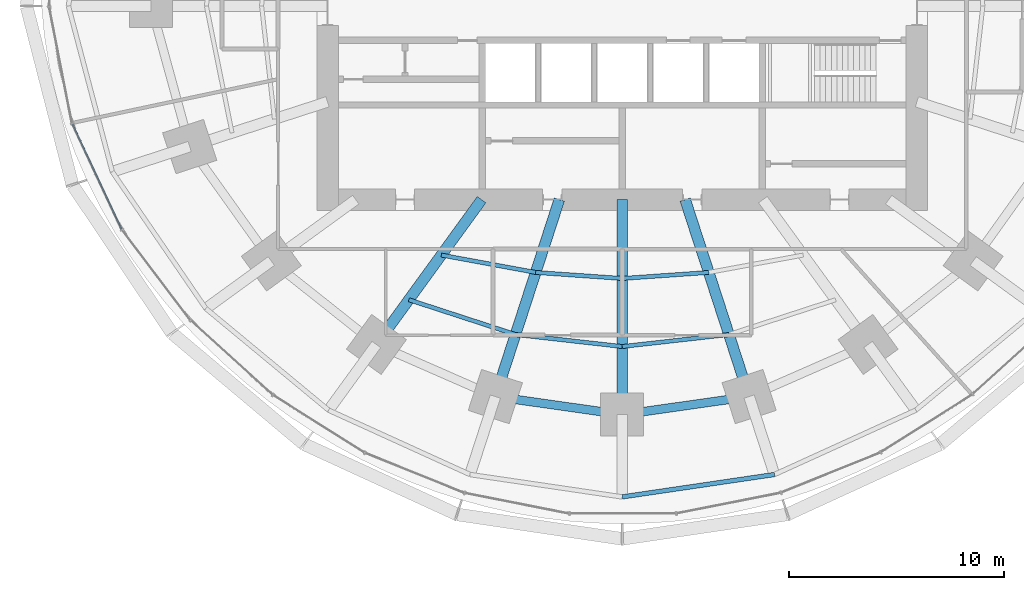
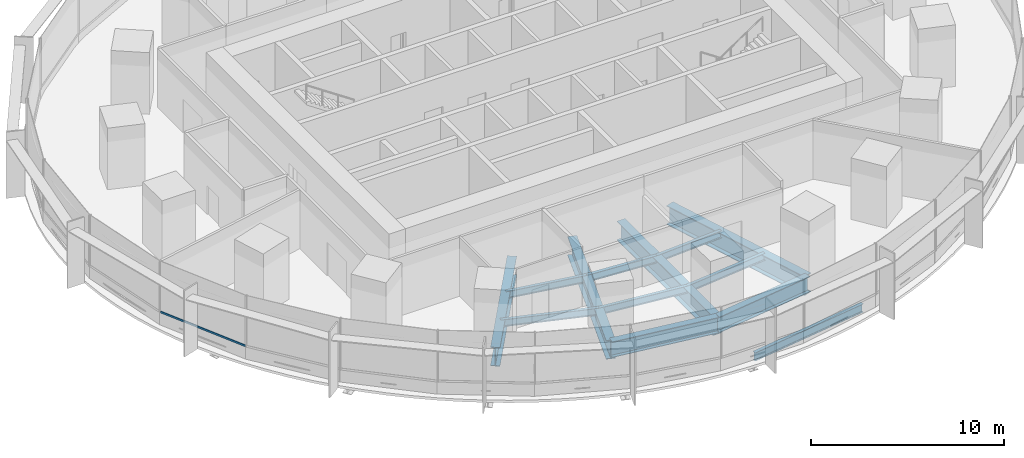
# One storey, part 3 of 15: 13 beams, 1 member, 1 element without a shape of its own.
"""IFC4 building model written with IfcOpenShell, lengths in metres."""

from ifc_helpers import new_model, si_unit, direction, frame, origin, origin_2d, place, context, subcontext, project, spatial, rectangle, i_section, extrude, material, material_profile, profile_set, type_object, element, aggregate, save


model = new_model("IFC4")

# Units and contexts
model_context = context("Model", 3, precision=1e-05, world=origin(), true_north=direction((0.0, 1.0)))
body_context = subcontext(model_context, "Body", "Model", "MODEL_VIEW")
ifc_project = project(units=[si_unit("LENGTHUNIT", "METRE"), si_unit("AREAUNIT", "SQUARE_METRE"), si_unit("VOLUMEUNIT", "CUBIC_METRE"), si_unit("PLANEANGLEUNIT", "RADIAN"), si_unit("MASSUNIT", "GRAM", prefix="KILO")], contexts=[model_context])

# Site, building, storey
site_placement = place(None, origin())
site = spatial("IfcSite", under=ifc_project, at=site_placement, CompositionType="ELEMENT")
building_placement = place(site_placement, origin())
building = spatial("IfcBuilding", under=site, at=building_placement, Name="Marramba Exchange Tower", CompositionType="ELEMENT")
storey_placement = place(building_placement, frame((0.0, 0.0, 49.0)))
storey = spatial("IfcBuildingStorey", under=building, at=storey_placement, Name="L11", CompositionType="ELEMENT", Elevation=49.0)

# Beams
ifc_material_1 = material(Name="Steel AS/NZS 3679.1 grade 300", Category="steel")
ifc_material_profile_1 = material_profile(ifc_material_1, i_section(OverallWidth=0.18994140625, OverallDepth=0.4541015625, WebThickness=0.008544921875, FlangeThickness=0.0126953125, FilletRadius=0.011474609375, at=origin_2d()), Name="460UB67.1")
ifc_profile_set_1 = profile_set([ifc_material_profile_1], Name="Steel AS/NZS 3679.1 grade 300")
beam_type_1 = type_object("IfcBeamType", Name="Floor joist 460UB67.1", PredefinedType="JOIST", material=ifc_profile_set_1)
beam_1_placement = place(storey_placement, frame((-8.41162109375, -11.57763671875, -0.386962890625), z_axis=(0.983455754421, -0.181148500119, 0.0), x_axis=(0.181148500119, 0.983455754421, 0.0)))
element("IfcBeam", 1, at=beam_1_placement, inside=storey, type_object=beam_type_1, Name="Joist L11 bay 14 row 1", PredefinedType="JOIST", context=body_context, shape_type="SweptSolid", body=[
    extrude(i_section(OverallWidth=0.18994140625, OverallDepth=0.4541015625, WebThickness=0.008544921875, FlangeThickness=0.0126953125, FilletRadius=0.011474609375, at=origin_2d()), origin(), (0.0, 0.0, 1.0), 4.4609375),
])
beam_2_placement = place(storey_placement, frame((-9.9208984375, -13.655029296875, -0.386962890625), z_axis=(0.950764024931, -0.309915744834, 0.0), x_axis=(0.309915744834, 0.950764024931, 0.0)))
element("IfcBeam", 2, at=beam_2_placement, inside=storey, type_object=beam_type_1, Name="Joist L11 bay 14 row 2", PredefinedType="JOIST", context=body_context, shape_type="SweptSolid", body=[
    extrude(i_section(OverallWidth=0.18994140625, OverallDepth=0.4541015625, WebThickness=0.008544921875, FlangeThickness=0.0126953125, FilletRadius=0.011474609375, at=origin_2d()), origin(), (0.0, 0.0, 1.0), 5.2158203125),
])
beam_3_placement = place(storey_placement, frame((-4.0244140625, -12.3857421875, -0.386962890625), z_axis=(0.99759625901, -0.069294328838, 0.0), x_axis=(0.069294328838, 0.99759625901, 0.0)))
element("IfcBeam", 3, at=beam_3_placement, inside=storey, type_object=beam_type_1, Name="Joist L11 bay 15 row 1", PredefinedType="JOIST", context=body_context, shape_type="SweptSolid", body=[
    extrude(i_section(OverallWidth=0.18994140625, OverallDepth=0.4541015625, WebThickness=0.008544921875, FlangeThickness=0.0126953125, FilletRadius=0.011474609375, at=origin_2d()), origin(), (0.0, 0.0, 1.0), 4.0341796875),
])
beam_4_placement = place(storey_placement, frame((-4.9619140625, -15.271484375, -0.386962890625), z_axis=(0.993712018573, -0.111966174106, 0.0), x_axis=(0.111966174106, 0.993712018573, 0.0)))
element("IfcBeam", 4, at=beam_4_placement, inside=storey, type_object=beam_type_1, Name="Joist L11 bay 15 row 2", PredefinedType="JOIST", context=body_context, shape_type="SweptSolid", body=[
    extrude(i_section(OverallWidth=0.18994140625, OverallDepth=0.4541015625, WebThickness=0.008544921875, FlangeThickness=0.0126953125, FilletRadius=0.011474609375, at=origin_2d()), origin(), (0.0, 0.0, 1.0), 4.993408203125),
])
beam_5_placement = place(storey_placement, frame((0.0, -12.665283203125, -0.386962890625), z_axis=(0.99759625901, 0.069294328838, 0.0), x_axis=(-0.069294328838, 0.99759625901, 0.0)))
element("IfcBeam", 5, at=beam_5_placement, inside=storey, type_object=beam_type_1, Name="Joist L11 bay 16 row 1", PredefinedType="JOIST", context=body_context, shape_type="SweptSolid", body=[
    extrude(i_section(OverallWidth=0.18994140625, OverallDepth=0.4541015625, WebThickness=0.008544921875, FlangeThickness=0.0126953125, FilletRadius=0.011474609375, at=origin_2d()), origin(), (0.0, 0.0, 1.0), 4.0341796875),
])
beam_6_placement = place(storey_placement, frame((0.0, -15.83056640625, -0.386962890625), z_axis=(0.993712018573, 0.111966174106, 0.0), x_axis=(-0.111966174106, 0.993712018573, 0.0)))
element("IfcBeam", 6, at=beam_6_placement, inside=storey, type_object=beam_type_1, Name="Joist L11 bay 16 row 2", PredefinedType="JOIST", context=body_context, shape_type="SweptSolid", body=[
    extrude(i_section(OverallWidth=0.18994140625, OverallDepth=0.4541015625, WebThickness=0.008544921875, FlangeThickness=0.0126953125, FilletRadius=0.011474609375, at=origin_2d()), origin(), (0.0, 0.0, 1.0), 4.993408203125),
])
ifc_material_2 = material(Name="Steel AS/NZS 3679.2 grade 300", Category="steel")
ifc_material_profile_2 = material_profile(ifc_material_2, i_section(OverallWidth=0.5, OverallDepth=1.199951171875, WebThickness=0.01611328125, FlangeThickness=0.0400390625, at=origin_2d()), Name="1200WB455")
ifc_profile_set_2 = profile_set([ifc_material_profile_2], Name="Steel AS/NZS 3679.2 grade 300")
beam_type_2 = type_object("IfcBeamType", Name="Radial girder 1200WB455", PredefinedType="BEAM", material=ifc_profile_set_2)
beam_7_placement = place(storey_placement, frame((-6.538818359375, -9.0, -0.760009765625), z_axis=(-0.587787877172, -0.809015087282, 0.0), x_axis=(0.809015087282, -0.587787877172, 0.0)))
element("IfcBeam", 7, at=beam_7_placement, inside=storey, type_object=beam_type_2, Name="Radial girder L11 TC14", PredefinedType="BEAM", context=body_context, shape_type="SweptSolid", body=[
    extrude(i_section(OverallWidth=0.5, OverallDepth=1.199951171875, WebThickness=0.01611328125, FlangeThickness=0.0400390625, at=origin_2d()), origin(), (0.0, 0.0, 1.0), 8.322021484375),
])
beam_8_placement = place(storey_placement, frame((-2.92431640625, -9.0, -0.760009765625), z_axis=(-0.309022428985, -0.951054750466, 0.0), x_axis=(0.951054750466, -0.309022428985, 0.0)))
element("IfcBeam", 8, at=beam_8_placement, inside=storey, type_object=beam_type_2, Name="Radial girder L11 TC15", PredefinedType="BEAM", context=body_context, shape_type="SweptSolid", body=[
    extrude(i_section(OverallWidth=0.5, OverallDepth=1.199951171875, WebThickness=0.01611328125, FlangeThickness=0.0400390625, at=origin_2d()), origin(), (0.0, 0.0, 1.0), 9.628173828125),
])
beam_9_placement = place(storey_placement, frame((0.0, -9.0, -0.760009765625), z_axis=(0.0, -1.0, 0.0), x_axis=(1.0, 0.0, 0.0)))
element("IfcBeam", 9, at=beam_9_placement, inside=storey, type_object=beam_type_2, Name="Radial girder L11 TC16", PredefinedType="BEAM", context=body_context, shape_type="SweptSolid", body=[
    extrude(i_section(OverallWidth=0.5, OverallDepth=1.199951171875, WebThickness=0.01611328125, FlangeThickness=0.0400390625, at=origin_2d()), origin(), (0.0, 0.0, 1.0), 9.99609375),
])
beam_10_placement = place(storey_placement, frame((2.92431640625, -9.0, -0.760009765625), z_axis=(0.309022428985, -0.951054750466, 0.0), x_axis=(0.951054750466, 0.309022428985, 0.0)))
element("IfcBeam", 10, at=beam_10_placement, inside=storey, type_object=beam_type_2, Name="Radial girder L11 TC17", PredefinedType="BEAM", context=body_context, shape_type="SweptSolid", body=[
    extrude(i_section(OverallWidth=0.5, OverallDepth=1.199951171875, WebThickness=0.01611328125, FlangeThickness=0.0400390625, at=origin_2d()), origin(), (0.0, 0.0, 1.0), 9.628173828125),
])
ifc_material_profile_3 = material_profile(ifc_material_2, i_section(OverallWidth=0.39990234375, OverallDepth=1.0, WebThickness=0.01611328125, FlangeThickness=0.031982421875, at=origin_2d()), Name="1000WB322")
ifc_profile_set_3 = profile_set([ifc_material_profile_3], Name="Steel AS/NZS 3679.2 grade 300")
beam_type_3 = type_object("IfcBeamType", Name="Ring beam 1000WB322", PredefinedType="SPANDREL", material=ifc_profile_set_3)
for number, where, z_axis, x_axis, name in (
    (11, (-5.899658203125, -18.156982421875, -0.659912109375), (0.990036163016, -0.140813337152, 0.0), (0.140813337152, 0.990036163016, 0.0), "Ring beam L11 TC15-TC16"),
    (12, (0.0, -18.99609375, -0.659912109375), (0.990036163016, 0.140813337152, 0.0), (-0.140813337152, 0.990036163016, 0.0), "Ring beam L11 TC16-TC17"),
):
    element("IfcBeam", number, at=place(storey_placement, frame(where, z_axis=z_axis, x_axis=x_axis)), inside=storey, type_object=beam_type_3, Name=name, PredefinedType="SPANDREL", context=body_context, shape_type="SweptSolid", body=[
        extrude(i_section(OverallWidth=0.39990234375, OverallDepth=1.0, WebThickness=0.01611328125, FlangeThickness=0.031982421875, at=origin_2d()), origin(), (0.0, 0.0, 1.0), 5.958984375),
    ])
ifc_material_profile_4 = material_profile(ifc_material_1, i_section(OverallWidth=0.208984375, OverallDepth=0.528076171875, WebThickness=0.009521484375, FlangeThickness=0.01318359375, FilletRadius=0.013916015625, at=origin_2d()), Name="530UB82.0")
ifc_profile_set_4 = profile_set([ifc_material_profile_4], Name="Steel AS/NZS 3679.1 grade 300")
beam_type_4 = type_object("IfcBeamType", Name="Slab edge beam 530UB82.0", PredefinedType="SPANDREL", material=ifc_profile_set_4)
beam_11_placement = place(storey_placement, frame((0.0, -22.822021484375, -0.424072265625), z_axis=(0.989338462178, 0.145634498848, 0.0), x_axis=(-0.145634498848, 0.989338462178, 0.0)))
element("IfcBeam", 13, at=beam_11_placement, inside=storey, type_object=beam_type_4, Name="Slab edge beam L11 TC16-TC17", PredefinedType="SPANDREL", context=body_context, shape_type="SweptSolid", body=[
    extrude(i_section(OverallWidth=0.208984375, OverallDepth=0.528076171875, WebThickness=0.009521484375, FlangeThickness=0.01318359375, FilletRadius=0.013916015625, at=origin_2d()), origin(), (0.0, 0.0, 1.0), 7.153076171875),
])

# Curtain wall, member
ifc_material_3 = material(Name="Aluminium framing, bronze anodised", Category="aluminium")
curtain_wall_type = type_object("IfcCurtainWallType", Name="Trading floor ribbon curtain wall", PredefinedType="USERDEFINED", material=ifc_material_3)
curtain_wall_placement = place(storey_placement, origin())
curtain_wall = element("IfcCurtainWall", 14, at=curtain_wall_placement, inside=storey, type_object=curtain_wall_type, Name="Curtain wall CW3 L11 F16-F20", ObjectType="RIBBON CURTAIN WALL", PredefinedType="USERDEFINED")
ifc_material_4 = material(Name="Aluminium transom, bronze anodised", Category="aluminium")
ifc_material_profile_5 = material_profile(ifc_material_4, rectangle(XDim=0.06005859375, YDim=0.1201171875, at=origin_2d()), Name="CW3 transom 60x120")
ifc_profile_set_5 = profile_set([ifc_material_profile_5], Name="Aluminium transom, bronze anodised")
member_type = type_object("IfcMemberType", Name="Trading floor ribbon curtain wall transom", PredefinedType="USERDEFINED", material=ifc_profile_set_5)
member_placement = place(storey_placement, frame((-25.559326171875, -5.492431640625, 0.830078125), z_axis=(0.423494101671, -0.905898860718, 0.0), x_axis=(0.905898860718, 0.423494101671, 0.0)))
member = element("IfcMember", 15, at=member_placement, type_object=member_type, Name="CW3 sill transom", ObjectType="TRANSOM", PredefinedType="USERDEFINED", context=body_context, shape_type="SweptSolid", body=[
    extrude(rectangle(XDim=0.06005859375, YDim=0.1201171875, at=origin_2d()), origin(), (0.0, 0.0, 1.0), 5.379150390625),
])
aggregate(curtain_wall, [member])

save(model, "model.ifc")
